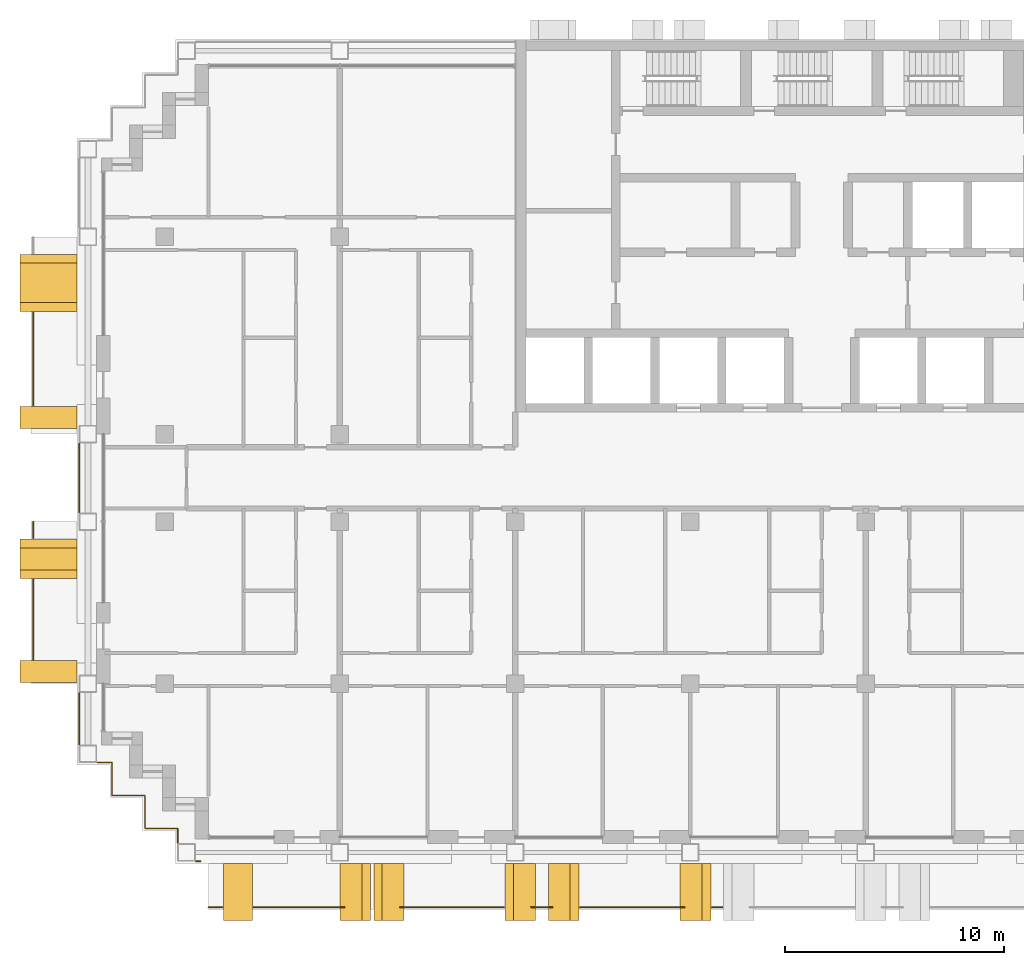
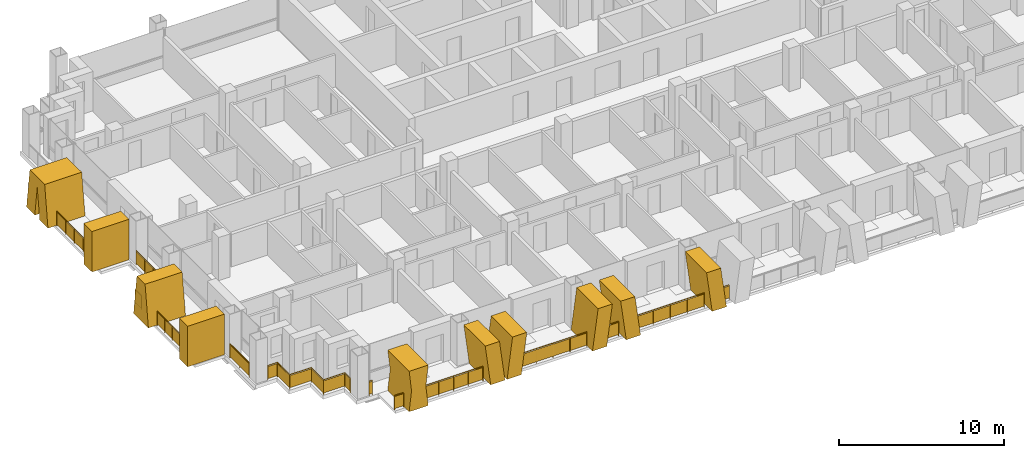
# One storey, part 14 of 18: 13 railings, 10 shading devices.
"""IFC4 building model written with IfcOpenShell, lengths in metres."""

from ifc_helpers import new_model, si_unit, direction, frame, origin, origin_2d, place, context, subcontext, project, spatial, polyline, rectangle, circle, outline, extrude, material, layer, layer_set, type_object, element, save


model = new_model("IFC4")

# Units and contexts
model_context = context("Model", 3, precision=1e-05, world=origin(), true_north=direction((0.0, 1.0)))
body_context = subcontext(model_context, "Body", "Model", "MODEL_VIEW")
ifc_project = project(units=[si_unit("LENGTHUNIT", "METRE"), si_unit("AREAUNIT", "SQUARE_METRE"), si_unit("VOLUMEUNIT", "CUBIC_METRE"), si_unit("PLANEANGLEUNIT", "RADIAN"), si_unit("MASSUNIT", "GRAM", prefix="KILO")], contexts=[model_context])

# Site, building, storey
site_placement = place(None, origin())
site = spatial("IfcSite", under=ifc_project, at=site_placement, CompositionType="ELEMENT")
building_placement = place(site_placement, origin())
building = spatial("IfcBuilding", under=site, at=building_placement, Name="Vidyagriha Tower", CompositionType="ELEMENT")
storey_placement = place(building_placement, frame((0.0, 0.0, 126.199951171875)))
storey = spatial("IfcBuildingStorey", under=building, at=storey_placement, Name="L32", CompositionType="ELEMENT", Elevation=126.199951171875)

# Railings
ifc_material_1 = material(Name="Steel ASTM A500 Grade C black painted", Category="steel")
railing_type_1 = type_object("IfcRailingType", Name="Balcony guard 1100", PredefinedType="BALUSTRADE", material=ifc_material_1)
railing_1_placement = place(storey_placement, frame((-36.0, 7.550048828125, 0.0)))
element("IfcRailing", 1, at=railing_1_placement, inside=storey, type_object=railing_type_1, Name="Balcony guard L32 R16.1-2", PredefinedType="BALUSTRADE", context=body_context, shape_type="SweptSolid", body=[
    extrude(circle(Radius=0.02490234375, at=origin_2d()), frame((0.0, 0.0, 1.0751953125), z_axis=(0.0, -1.0, 0.0), x_axis=(1.0, 0.0, 0.0)), (0.0, 0.0, 1.0), 4.25),
    extrude(circle(Radius=0.02001953125, at=origin_2d()), origin(), (0.0, 0.0, 1.0), 1.050048828125),
    extrude(circle(Radius=0.02001953125, at=origin_2d()), frame((0.0, -1.0625, 0.0)), (0.0, 0.0, 1.0), 1.050048828125),
    extrude(circle(Radius=0.02001953125, at=origin_2d()), frame((0.0, -2.125, 0.0)), (0.0, 0.0, 1.0), 1.050048828125),
    extrude(circle(Radius=0.02001953125, at=origin_2d()), frame((0.0, -3.1875, 0.0)), (0.0, 0.0, 1.0), 1.050048828125),
    extrude(circle(Radius=0.02001953125, at=origin_2d()), frame((0.0, -4.25, 0.0)), (0.0, 0.0, 1.0), 1.050048828125),
    extrude(rectangle(XDim=0.010009765625, YDim=0.900146484375, at=origin_2d()), frame((0.0, 0.0, 0.550048828125), z_axis=(0.0, -1.0, 0.0), x_axis=(1.0, 0.0, 0.0)), (0.0, 0.0, 1.0), 4.25),
])
railing_2_placement = place(storey_placement, frame((-36.0, -2.0, 0.0)))
element("IfcRailing", 2, at=railing_2_placement, inside=storey, type_object=railing_type_1, Name="Balcony guard L32 R16.2-1", PredefinedType="BALUSTRADE", context=body_context, shape_type="SweptSolid", body=[
    extrude(circle(Radius=0.02490234375, at=origin_2d()), frame((0.0, 0.0, 1.0751953125), z_axis=(0.0, -1.0, 0.0), x_axis=(1.0, 0.0, 0.0)), (0.0, 0.0, 1.0), 0.75),
    extrude(circle(Radius=0.02001953125, at=origin_2d()), origin(), (0.0, 0.0, 1.0), 1.050048828125),
    extrude(circle(Radius=0.02001953125, at=origin_2d()), frame((0.0, -0.75, 0.0)), (0.0, 0.0, 1.0), 1.050048828125),
    extrude(rectangle(XDim=0.010009765625, YDim=0.900146484375, at=origin_2d()), frame((0.0, 0.0, 0.550048828125), z_axis=(0.0, -1.0, 0.0), x_axis=(1.0, 0.0, 0.0)), (0.0, 0.0, 1.0), 0.75),
])
railing_3_placement = place(storey_placement, frame((-36.0, -4.64990234375, 0.0)))
element("IfcRailing", 3, at=railing_3_placement, inside=storey, type_object=railing_type_1, Name="Balcony guard L32 R16.2-2", PredefinedType="BALUSTRADE", context=body_context, shape_type="SweptSolid", body=[
    extrude(circle(Radius=0.02490234375, at=origin_2d()), frame((0.0, 0.0, 1.0751953125), z_axis=(0.0, -1.0, 0.0), x_axis=(1.0, 0.0, 0.0)), (0.0, 0.0, 1.0), 3.650146484375),
    extrude(circle(Radius=0.02001953125, at=origin_2d()), origin(), (0.0, 0.0, 1.0), 1.050048828125),
    extrude(circle(Radius=0.02001953125, at=origin_2d()), frame((0.0, -0.91259765625, 0.0)), (0.0, 0.0, 1.0), 1.050048828125),
    extrude(circle(Radius=0.02001953125, at=origin_2d()), frame((0.0, -1.8251953125, 0.0)), (0.0, 0.0, 1.0), 1.050048828125),
    extrude(circle(Radius=0.02001953125, at=origin_2d()), frame((0.0, -2.737548828125, 0.0)), (0.0, 0.0, 1.0), 1.050048828125),
    extrude(circle(Radius=0.02001953125, at=origin_2d()), frame((0.0, -3.650146484375, 0.0)), (0.0, 0.0, 1.0), 1.050048828125),
    extrude(rectangle(XDim=0.010009765625, YDim=0.900146484375, at=origin_2d()), frame((0.0, 0.0, 0.550048828125), z_axis=(0.0, -1.0, 0.0), x_axis=(1.0, 0.0, 0.0)), (0.0, 0.0, 1.0), 3.650146484375),
])
railing_4_placement = place(storey_placement, frame((-28.0, -19.60009765625, 0.0)))
element("IfcRailing", 4, at=railing_4_placement, inside=storey, type_object=railing_type_1, Name="Balcony guard L32 R23.1-1", PredefinedType="BALUSTRADE", context=body_context, shape_type="SweptSolid", body=[
    extrude(circle(Radius=0.02490234375, at=origin_2d()), frame((0.0, 0.0, 1.0751953125), z_axis=(1.0, 0.0, 0.0), x_axis=(0.0, 1.0, 0.0)), (0.0, 0.0, 1.0), 0.6298828125),
    extrude(circle(Radius=0.02001953125, at=origin_2d()), origin(), (0.0, 0.0, 1.0), 1.050048828125),
    extrude(circle(Radius=0.02001953125, at=origin_2d()), frame((0.6298828125, 0.0, 0.0)), (0.0, 0.0, 1.0), 1.050048828125),
    extrude(rectangle(XDim=0.010009765625, YDim=0.900146484375, at=origin_2d()), frame((0.0, 0.0, 0.550048828125), z_axis=(1.0, 0.0, 0.0), x_axis=(0.0, 1.0, 0.0)), (0.0, 0.0, 1.0), 0.6298828125),
])
railing_5_placement = place(storey_placement, frame((-25.929931640625, -19.60009765625, 0.0)))
element("IfcRailing", 5, at=railing_5_placement, inside=storey, type_object=railing_type_1, Name="Balcony guard L32 R23.1-2", PredefinedType="BALUSTRADE", context=body_context, shape_type="SweptSolid", body=[
    extrude(circle(Radius=0.02490234375, at=origin_2d()), frame((0.0, 0.0, 1.0751953125), z_axis=(1.0, 0.0, 0.0), x_axis=(0.0, 1.0, 0.0)), (0.0, 0.0, 1.0), 4.133056640625),
    extrude(circle(Radius=0.02001953125, at=origin_2d()), origin(), (0.0, 0.0, 1.0), 1.050048828125),
    extrude(circle(Radius=0.02001953125, at=origin_2d()), frame((1.033203125, 0.0, 0.0)), (0.0, 0.0, 1.0), 1.050048828125),
    extrude(circle(Radius=0.02001953125, at=origin_2d()), frame((2.06640625, 0.0, 0.0)), (0.0, 0.0, 1.0), 1.050048828125),
    extrude(circle(Radius=0.02001953125, at=origin_2d()), frame((3.099853515625, 0.0, 0.0)), (0.0, 0.0, 1.0), 1.050048828125),
    extrude(circle(Radius=0.02001953125, at=origin_2d()), frame((4.133056640625, 0.0, 0.0)), (0.0, 0.0, 1.0), 1.050048828125),
    extrude(rectangle(XDim=0.010009765625, YDim=0.900146484375, at=origin_2d()), frame((0.0, 0.0, 0.550048828125), z_axis=(1.0, 0.0, 0.0), x_axis=(0.0, 1.0, 0.0)), (0.0, 0.0, 1.0), 4.133056640625),
])
railing_6_placement = place(storey_placement, frame((-19.253173828125, -19.60009765625, 0.0)))
element("IfcRailing", 6, at=railing_6_placement, inside=storey, type_object=railing_type_1, Name="Balcony guard L32 R23.1-3", PredefinedType="BALUSTRADE", context=body_context, shape_type="SweptSolid", body=[
    extrude(circle(Radius=0.02490234375, at=origin_2d()), frame((0.0, 0.0, 1.0751953125), z_axis=(1.0, 0.0, 0.0), x_axis=(0.0, 1.0, 0.0)), (0.0, 0.0, 1.0), 4.7431640625),
    extrude(circle(Radius=0.02001953125, at=origin_2d()), origin(), (0.0, 0.0, 1.0), 1.050048828125),
    extrude(circle(Radius=0.02001953125, at=origin_2d()), frame((1.185791015625, 0.0, 0.0)), (0.0, 0.0, 1.0), 1.050048828125),
    extrude(circle(Radius=0.02001953125, at=origin_2d()), frame((2.37158203125, 0.0, 0.0)), (0.0, 0.0, 1.0), 1.050048828125),
    extrude(circle(Radius=0.02001953125, at=origin_2d()), frame((3.557373046875, 0.0, 0.0)), (0.0, 0.0, 1.0), 1.050048828125),
    extrude(circle(Radius=0.02001953125, at=origin_2d()), frame((4.7431640625, 0.0, 0.0)), (0.0, 0.0, 1.0), 1.050048828125),
    extrude(rectangle(XDim=0.010009765625, YDim=0.900146484375, at=origin_2d()), frame((0.0, 0.0, 0.550048828125), z_axis=(1.0, 0.0, 0.0), x_axis=(0.0, 1.0, 0.0)), (0.0, 0.0, 1.0), 4.7431640625),
])
railing_7_placement = place(storey_placement, frame((-13.258544921875, -19.60009765625, 0.0)))
element("IfcRailing", 7, at=railing_7_placement, inside=storey, type_object=railing_type_1, Name="Balcony guard L32 R23.1-4", PredefinedType="BALUSTRADE", context=body_context, shape_type="SweptSolid", body=[
    extrude(circle(Radius=0.02490234375, at=origin_2d()), frame((0.0, 0.0, 1.0751953125), z_axis=(1.0, 0.0, 0.0), x_axis=(0.0, 1.0, 0.0)), (0.0, 0.0, 1.0), 0.967041015625),
    extrude(circle(Radius=0.02001953125, at=origin_2d()), origin(), (0.0, 0.0, 1.0), 1.050048828125),
    extrude(circle(Radius=0.02001953125, at=origin_2d()), frame((0.967041015625, 0.0, 0.0)), (0.0, 0.0, 1.0), 1.050048828125),
    extrude(rectangle(XDim=0.010009765625, YDim=0.900146484375, at=origin_2d()), frame((0.0, 0.0, 0.550048828125), z_axis=(1.0, 0.0, 0.0), x_axis=(0.0, 1.0, 0.0)), (0.0, 0.0, 1.0), 0.967041015625),
])
railing_8_placement = place(storey_placement, frame((-11.0400390625, -19.60009765625, 0.0)))
element("IfcRailing", 8, at=railing_8_placement, inside=storey, type_object=railing_type_1, Name="Balcony guard L32 R23.1-5", PredefinedType="BALUSTRADE", context=body_context, shape_type="SweptSolid", body=[
    extrude(circle(Radius=0.02490234375, at=origin_2d()), frame((0.0, 0.0, 1.0751953125), z_axis=(1.0, 0.0, 0.0), x_axis=(0.0, 1.0, 0.0)), (0.0, 0.0, 1.0), 4.773681640625),
    extrude(circle(Radius=0.02001953125, at=origin_2d()), origin(), (0.0, 0.0, 1.0), 1.050048828125),
    extrude(circle(Radius=0.02001953125, at=origin_2d()), frame((1.193359375, 0.0, 0.0)), (0.0, 0.0, 1.0), 1.050048828125),
    extrude(circle(Radius=0.02001953125, at=origin_2d()), frame((2.38671875, 0.0, 0.0)), (0.0, 0.0, 1.0), 1.050048828125),
    extrude(circle(Radius=0.02001953125, at=origin_2d()), frame((3.580322265625, 0.0, 0.0)), (0.0, 0.0, 1.0), 1.050048828125),
    extrude(circle(Radius=0.02001953125, at=origin_2d()), frame((4.773681640625, 0.0, 0.0)), (0.0, 0.0, 1.0), 1.050048828125),
    extrude(rectangle(XDim=0.010009765625, YDim=0.900146484375, at=origin_2d()), frame((0.0, 0.0, 0.550048828125), z_axis=(1.0, 0.0, 0.0), x_axis=(0.0, 1.0, 0.0)), (0.0, 0.0, 1.0), 4.773681640625),
])
railing_9_placement = place(storey_placement, frame((-5.014892578125, -19.60009765625, 0.0)))
element("IfcRailing", 9, at=railing_9_placement, inside=storey, type_object=railing_type_1, Name="Balcony guard L32 R23.1-6", PredefinedType="BALUSTRADE", context=body_context, shape_type="SweptSolid", body=[
    extrude(circle(Radius=0.02490234375, at=origin_2d()), frame((0.0, 0.0, 1.0751953125), z_axis=(1.0, 0.0, 0.0), x_axis=(0.0, 1.0, 0.0)), (0.0, 0.0, 1.0), 0.47998046875),
    extrude(circle(Radius=0.02001953125, at=origin_2d()), origin(), (0.0, 0.0, 1.0), 1.050048828125),
    extrude(circle(Radius=0.02001953125, at=origin_2d()), frame((0.47998046875, 0.0, 0.0)), (0.0, 0.0, 1.0), 1.050048828125),
    extrude(rectangle(XDim=0.010009765625, YDim=0.900146484375, at=origin_2d()), frame((0.0, 0.0, 0.550048828125), z_axis=(1.0, 0.0, 0.0), x_axis=(0.0, 1.0, 0.0)), (0.0, 0.0, 1.0), 0.47998046875),
])

# Shading devices
ifc_material_2 = material(Name="Precast concrete C40/50 with buff brick facing", Category="concrete")
ifc_layer_1 = layer(ifc_material_2, 1.0)
ifc_layer_set_1 = layer_set([ifc_layer_1], Name="Precast concrete C40/50 with buff brick facing")
shading_device_type_1 = type_object("IfcShadingDeviceType", Name="Brick-faced blade fin arm leaning 8 degrees", PredefinedType="USERDEFINED", material=ifc_layer_set_1)
shading_device_1_placement = place(storey_placement, frame((-20.449951171875, -18.89990234375, 0.0)))
element("IfcShadingDevice", 10, at=shading_device_1_placement, inside=storey, type_object=shading_device_type_1, Name="Leaning blade fin L32 R23.600a", ObjectType="BLADE FIN", PredefinedType="USERDEFINED", context=body_context, shape_type="SweptSolid", body=[
    extrude(outline(polyline([(0.0, 0.0), (1.0, 0.0), (1.38330078125, 3.0), (0.38330078125, 3.0), (0.0, 0.0)])), frame((0.0, 1.300048828125, 0.0), z_axis=(0.0, -1.0, 0.0), x_axis=(1.0, 0.0, 0.0)), (0.0, 0.0, 1.0), 2.60009765625),
])
shading_device_2_placement = place(storey_placement, frame((-21.9833984375, -18.89990234375, 0.0)))
element("IfcShadingDevice", 11, at=shading_device_2_placement, inside=storey, type_object=shading_device_type_1, Name="Leaning blade fin L32 R23.600b", ObjectType="BLADE FIN", PredefinedType="USERDEFINED", context=body_context, shape_type="SweptSolid", body=[
    extrude(outline(polyline([(0.38330078125, 0.0), (1.38330078125, 0.0), (1.0, 3.0), (0.0, 3.0), (0.38330078125, 0.0)])), frame((0.0, 1.300048828125, 0.0), z_axis=(0.0, -1.0, 0.0), x_axis=(1.0, 0.0, 0.0)), (0.0, 0.0, 1.0), 2.60009765625),
])
shading_device_3_placement = place(storey_placement, frame((-14.4599609375, -18.89990234375, 0.0)))
element("IfcShadingDevice", 12, at=shading_device_3_placement, inside=storey, type_object=shading_device_type_1, Name="Leaning blade fin L32 R23.1400a", ObjectType="BLADE FIN", PredefinedType="USERDEFINED", context=body_context, shape_type="SweptSolid", body=[
    extrude(outline(polyline([(0.0, 0.0), (1.0, 0.0), (1.39501953125, 3.0), (0.39501953125, 3.0), (0.0, 0.0)])), frame((0.0, 1.300048828125, 0.0), z_axis=(0.0, -1.0, 0.0), x_axis=(1.0, 0.0, 0.0)), (0.0, 0.0, 1.0), 2.60009765625),
])
for number, where, name in (
    (13, (-12.485107421875, -18.89990234375, 0.0), "Leaning blade fin L32 R23.1400b"),
    (14, (-6.4599609375, -18.89990234375, 0.0), "Leaning blade fin L32 R23.2200b"),
):
    element("IfcShadingDevice", number, at=place(storey_placement, frame(where)), inside=storey, type_object=shading_device_type_1, Name=name, ObjectType="BLADE FIN", PredefinedType="USERDEFINED", context=body_context, shape_type="SweptSolid", body=[
        extrude(outline(polyline([(0.39501953125, 0.0), (1.39501953125, 0.0), (1.0, 3.0), (0.0, 3.0), (0.39501953125, 0.0)])), frame((0.0, 1.300048828125, 0.0), z_axis=(0.0, -1.0, 0.0), x_axis=(1.0, 0.0, 0.0)), (0.0, 0.0, 1.0), 2.60009765625),
    ])
ifc_material_3 = material(Name="Precast concrete C40/50 with buff brick facing", Category="concrete")
ifc_layer_2 = layer(ifc_material_3, 1.0)
ifc_layer_set_2 = layer_set([ifc_layer_2], Name="Precast concrete C40/50 with buff brick facing")
shading_device_type_2 = type_object("IfcShadingDeviceType", Name="Brick-faced blade fin forking 8 degrees", PredefinedType="USERDEFINED", material=ifc_layer_set_2)
shading_device_4_placement = place(storey_placement, frame((-35.300048828125, 10.199951171875, 0.0), z_axis=(0.0, 0.0, 1.0), x_axis=(0.0, -1.0, 0.0)))
element("IfcShadingDevice", 15, at=shading_device_4_placement, inside=storey, type_object=shading_device_type_2, Name="Forked blade fin L32 R16.300a", ObjectType="BLADE FIN", PredefinedType="USERDEFINED", context=body_context, shape_type="SweptSolid", body=[
    extrude(outline(polyline([(1.0, 0.0), (1.300048828125, 2.25), (1.60009765625, 0.0), (2.60009765625, 0.0), (2.199951171875, 3.0), (0.39990234375, 3.0), (0.0, 0.0), (1.0, 0.0)])), frame((0.0, 1.300048828125, 0.0), z_axis=(0.0, -1.0, 0.0), x_axis=(1.0, 0.0, 0.0)), (0.0, 0.0, 1.0), 2.60009765625),
])
shading_device_5_placement = place(storey_placement, frame((-35.300048828125, -2.800048828125, 0.0), z_axis=(0.0, 0.0, 1.0), x_axis=(0.0, -1.0, 0.0)))
element("IfcShadingDevice", 16, at=shading_device_5_placement, inside=storey, type_object=shading_device_type_2, Name="Forked blade fin L32 R16.1600a", ObjectType="BLADE FIN", PredefinedType="USERDEFINED", context=body_context, shape_type="SweptSolid", body=[
    extrude(outline(polyline([(0.0, 0.0), (1.800048828125, 0.0), (1.39990234375, 3.0), (0.39990234375, 3.0), (0.0, 0.0)])), frame((0.0, 1.300048828125, 0.0), z_axis=(0.0, -1.0, 0.0), x_axis=(1.0, 0.0, 0.0)), (0.0, 0.0, 1.0), 2.60009765625),
])
shading_device_6_placement = place(storey_placement, frame((-27.320068359375, -18.89990234375, 0.0)))
element("IfcShadingDevice", 17, at=shading_device_6_placement, inside=storey, type_object=shading_device_type_2, Name="Forked blade fin L32 R23.0a", ObjectType="BLADE FIN", PredefinedType="USERDEFINED", context=body_context, shape_type="SweptSolid", body=[
    extrude(outline(polyline([(0.0, 0.0), (1.340087890625, 0.0), (1.169921875, 1.5), (1.340087890625, 3.0), (0.0, 3.0), (0.169921875, 1.5), (0.0, 0.0)])), frame((0.0, 1.300048828125, 0.0), z_axis=(0.0, -1.0, 0.0), x_axis=(1.0, 0.0, 0.0)), (0.0, 0.0, 1.0), 2.60009765625),
])
ifc_material_4 = material(Name="Precast concrete C40/50 with buff brick facing", Category="concrete")
ifc_layer_3 = layer(ifc_material_4, 1.0)
ifc_layer_set_3 = layer_set([ifc_layer_3], Name="Precast concrete C40/50 with buff brick facing")
shading_device_type_3 = type_object("IfcShadingDeviceType", Name="Brick-faced blade fin stem 1000", PredefinedType="USERDEFINED", material=ifc_layer_set_3)
for number, where, z_axis, x_axis, name in (
    (18, (-35.300048828125, 3.25, 0.0), (0.0, 0.0, 1.0), (0.0, -1.0, 0.0), "Stem blade fin L32 R16.1200a"),
    (19, (-35.300048828125, -8.35009765625, 0.0), (0.0, 0.0, 1.0), (0.0, -1.0, 0.0), "Stem blade fin L32 R16.2340a"),
):
    element("IfcShadingDevice", number, at=place(storey_placement, frame(where, z_axis=z_axis, x_axis=x_axis)), inside=storey, type_object=shading_device_type_3, Name=name, ObjectType="BLADE FIN", PredefinedType="USERDEFINED", context=body_context, shape_type="SweptSolid", body=[
        extrude(outline(polyline([(0.0, 0.0), (1.0, 0.0), (1.0, 3.0), (0.0, 3.0), (0.0, 0.0)])), frame((0.0, 1.300048828125, 0.0), z_axis=(0.0, -1.0, 0.0), x_axis=(1.0, 0.0, 0.0)), (0.0, 0.0, 1.0), 2.60009765625),
    ])

# Railings
ifc_material_5 = material(Name="Steel ASTM A500 Grade C black painted", Category="steel")
railing_type_2 = type_object("IfcRailingType", Name="Gallery guard 1100", PredefinedType="GUARDRAIL", material=ifc_material_5)
railing_10_placement = place(storey_placement, frame((-33.89990234375, -12.169921875, 0.0)))
element("IfcRailing", 20, at=railing_10_placement, inside=storey, type_object=railing_type_2, Name="Gallery guard L32 1", PredefinedType="GUARDRAIL", context=body_context, shape_type="SweptSolid", body=[
    extrude(circle(Radius=0.02490234375, at=origin_2d()), frame((0.0, 0.0, 1.0751953125), z_axis=(0.0, 1.0, 0.0), x_axis=(-1.0, 0.0, 0.0)), (0.0, 0.0, 1.0), 2.33984375),
    extrude(circle(Radius=0.02001953125, at=origin_2d()), origin(), (0.0, 0.0, 1.0), 1.050048828125),
    extrude(circle(Radius=0.02001953125, at=origin_2d()), frame((0.0, 1.169921875, 0.0)), (0.0, 0.0, 1.0), 1.050048828125),
    extrude(circle(Radius=0.02001953125, at=origin_2d()), frame((0.0, 2.33984375, 0.0)), (0.0, 0.0, 1.0), 1.050048828125),
    extrude(rectangle(XDim=0.010009765625, YDim=0.900146484375, at=origin_2d()), frame((0.0, 0.0, 0.550048828125), z_axis=(0.0, 1.0, 0.0), x_axis=(-1.0, 0.0, 0.0)), (0.0, 0.0, 1.0), 2.33984375),
])
railing_11_placement = place(storey_placement, frame((-33.89990234375, -1.570068359375, 0.0)))
element("IfcRailing", 21, at=railing_11_placement, inside=storey, type_object=railing_type_2, Name="Gallery guard L32 2", PredefinedType="GUARDRAIL", context=body_context, shape_type="SweptSolid", body=[
    extrude(circle(Radius=0.02490234375, at=origin_2d()), frame((0.0, 0.0, 1.0751953125), z_axis=(0.0, 1.0, 0.0), x_axis=(-1.0, 0.0, 0.0)), (0.0, 0.0, 1.0), 3.14013671875),
    extrude(circle(Radius=0.02001953125, at=origin_2d()), origin(), (0.0, 0.0, 1.0), 1.050048828125),
    extrude(circle(Radius=0.02001953125, at=origin_2d()), frame((0.0, 1.046630859375, 0.0)), (0.0, 0.0, 1.0), 1.050048828125),
    extrude(circle(Radius=0.02001953125, at=origin_2d()), frame((0.0, 2.093505859375, 0.0)), (0.0, 0.0, 1.0), 1.050048828125),
    extrude(circle(Radius=0.02001953125, at=origin_2d()), frame((0.0, 3.14013671875, 0.0)), (0.0, 0.0, 1.0), 1.050048828125),
    extrude(rectangle(XDim=0.010009765625, YDim=0.900146484375, at=origin_2d()), frame((0.0, 0.0, 0.550048828125), z_axis=(0.0, 1.0, 0.0), x_axis=(-1.0, 0.0, 0.0)), (0.0, 0.0, 1.0), 3.14013671875),
])
railing_12_placement = place(storey_placement, frame((-29.39990234375, -16.669921875, 0.0)))
element("IfcRailing", 22, at=railing_12_placement, inside=storey, type_object=railing_type_2, Name="Gallery guard L32 4", PredefinedType="GUARDRAIL", context=body_context, shape_type="SweptSolid", body=[
    extrude(circle(Radius=0.02490234375, at=origin_2d()), frame((0.0, 0.0, 1.0751953125), z_axis=(0.0, 1.0, 0.0), x_axis=(-1.0, 0.0, 0.0)), (0.0, 0.0, 1.0), 0.669921875),
    extrude(circle(Radius=0.02490234375, at=origin_2d()), frame((0.0, 0.669921875, 1.0751953125), z_axis=(-1.0, 0.0, 0.0), x_axis=(0.0, -1.0, 0.0)), (0.0, 0.0, 1.0), 1.5),
    extrude(circle(Radius=0.02490234375, at=origin_2d()), frame((-1.5, 0.669921875, 1.0751953125), z_axis=(0.0, 1.0, 0.0), x_axis=(-1.0, 0.0, 0.0)), (0.0, 0.0, 1.0), 1.5),
    extrude(circle(Radius=0.02490234375, at=origin_2d()), frame((-1.5, 2.169921875, 1.0751953125), z_axis=(-1.0, 0.0, 0.0), x_axis=(0.0, -1.0, 0.0)), (0.0, 0.0, 1.0), 1.5),
    extrude(circle(Radius=0.02490234375, at=origin_2d()), frame((-3.0, 2.169921875, 1.0751953125), z_axis=(0.0, 1.0, 0.0), x_axis=(-1.0, 0.0, 0.0)), (0.0, 0.0, 1.0), 1.5),
    extrude(circle(Radius=0.02490234375, at=origin_2d()), frame((-3.0, 3.669921875, 1.0751953125), z_axis=(-1.0, 0.0, 0.0), x_axis=(0.0, -1.0, 0.0)), (0.0, 0.0, 1.0), 0.670166015625),
    extrude(circle(Radius=0.02001953125, at=origin_2d()), origin(), (0.0, 0.0, 1.0), 1.050048828125),
    extrude(circle(Radius=0.02001953125, at=origin_2d()), frame((0.0, 0.669921875, 0.0)), (0.0, 0.0, 1.0), 1.050048828125),
    extrude(circle(Radius=0.02001953125, at=origin_2d()), frame((-1.5, 0.669921875, 0.0)), (0.0, 0.0, 1.0), 1.050048828125),
    extrude(circle(Radius=0.02001953125, at=origin_2d()), frame((-1.5, 2.169921875, 0.0)), (0.0, 0.0, 1.0), 1.050048828125),
    extrude(circle(Radius=0.02001953125, at=origin_2d()), frame((-3.0, 2.169921875, 0.0)), (0.0, 0.0, 1.0), 1.050048828125),
    extrude(circle(Radius=0.02001953125, at=origin_2d()), frame((-3.0, 3.669921875, 0.0)), (0.0, 0.0, 1.0), 1.050048828125),
    extrude(circle(Radius=0.02001953125, at=origin_2d()), frame((-3.670166015625, 3.669921875, 0.0)), (0.0, 0.0, 1.0), 1.050048828125),
    extrude(rectangle(XDim=0.010009765625, YDim=0.900146484375, at=origin_2d()), frame((0.0, 0.0, 0.550048828125), z_axis=(0.0, 1.0, 0.0), x_axis=(-1.0, 0.0, 0.0)), (0.0, 0.0, 1.0), 0.669921875),
    extrude(rectangle(XDim=0.010009765625, YDim=0.900146484375, at=origin_2d()), frame((0.0, 0.669921875, 0.550048828125), z_axis=(-1.0, 0.0, 0.0), x_axis=(0.0, -1.0, 0.0)), (0.0, 0.0, 1.0), 1.5),
    extrude(rectangle(XDim=0.010009765625, YDim=0.900146484375, at=origin_2d()), frame((-1.5, 0.669921875, 0.550048828125), z_axis=(0.0, 1.0, 0.0), x_axis=(-1.0, 0.0, 0.0)), (0.0, 0.0, 1.0), 1.5),
    extrude(rectangle(XDim=0.010009765625, YDim=0.900146484375, at=origin_2d()), frame((-1.5, 2.169921875, 0.550048828125), z_axis=(-1.0, 0.0, 0.0), x_axis=(0.0, -1.0, 0.0)), (0.0, 0.0, 1.0), 1.5),
    extrude(rectangle(XDim=0.010009765625, YDim=0.900146484375, at=origin_2d()), frame((-3.0, 2.169921875, 0.550048828125), z_axis=(0.0, 1.0, 0.0), x_axis=(-1.0, 0.0, 0.0)), (0.0, 0.0, 1.0), 1.5),
    extrude(rectangle(XDim=0.010009765625, YDim=0.900146484375, at=origin_2d()), frame((-3.0, 3.669921875, 0.550048828125), z_axis=(-1.0, 0.0, 0.0), x_axis=(0.0, -1.0, 0.0)), (0.0, 0.0, 1.0), 0.670166015625),
])
railing_13_placement = place(storey_placement, frame((-28.360107421875, -17.5, 0.0)))
element("IfcRailing", 23, at=railing_13_placement, inside=storey, type_object=railing_type_2, Name="Gallery guard L32 6", PredefinedType="GUARDRAIL", context=body_context, shape_type="SweptSolid", body=[
    extrude(circle(Radius=0.02490234375, at=origin_2d()), frame((0.0, 0.0, 1.0751953125), z_axis=(-1.0, 0.0, 0.0), x_axis=(0.0, -1.0, 0.0)), (0.0, 0.0, 1.0), 0.2099609375),
    extrude(circle(Radius=0.02001953125, at=origin_2d()), origin(), (0.0, 0.0, 1.0), 1.050048828125),
    extrude(circle(Radius=0.02001953125, at=origin_2d()), frame((-0.2099609375, 0.0, 0.0)), (0.0, 0.0, 1.0), 1.050048828125),
    extrude(rectangle(XDim=0.010009765625, YDim=0.900146484375, at=origin_2d()), frame((0.0, 0.0, 0.550048828125), z_axis=(-1.0, 0.0, 0.0), x_axis=(0.0, -1.0, 0.0)), (0.0, 0.0, 1.0), 0.2099609375),
])

save(model, "model.ifc")
